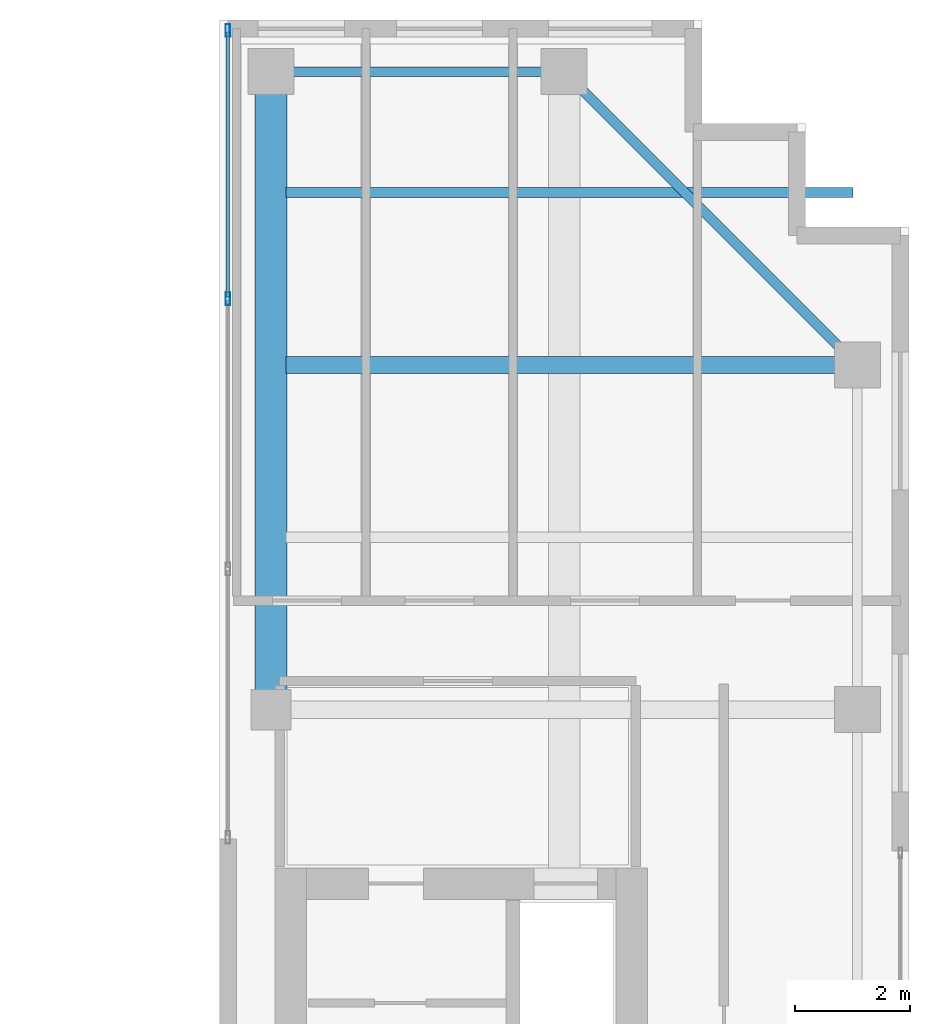
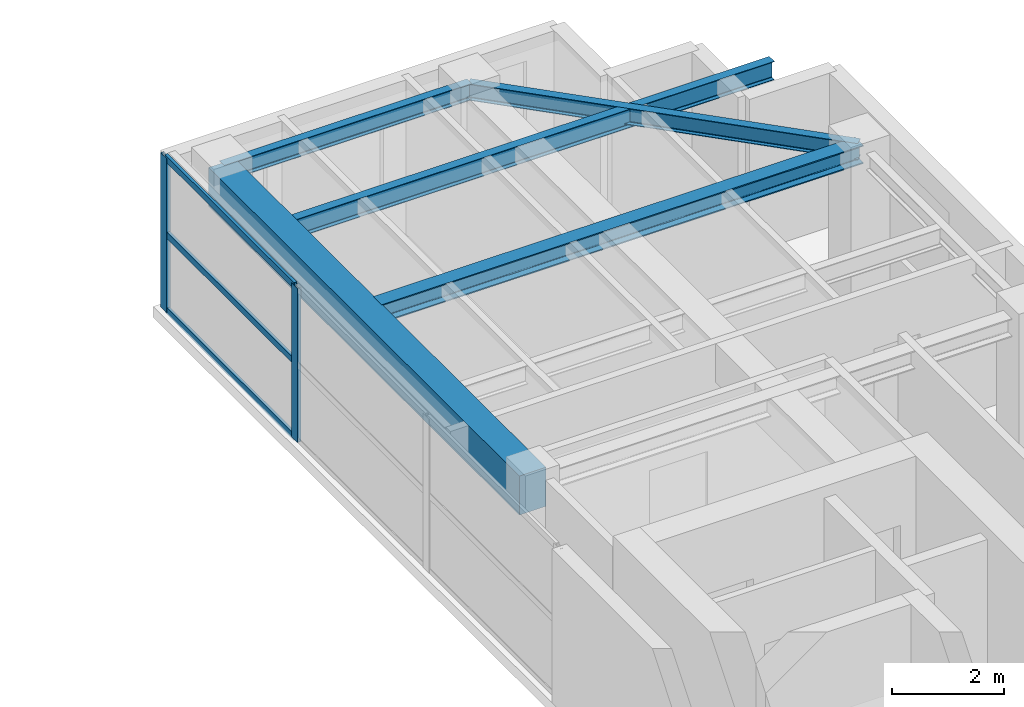
# One storey, part 16 of 23: 5 beams, 5 members, 1 element without a shape of its own.
"""IFC4 building model written with IfcOpenShell, lengths in metres."""

from ifc_helpers import new_model, si_unit, direction, frame, origin, origin_2d, place, context, subcontext, project, spatial, rectangle, hollow_rectangle, i_section, extrude, source, transform, mapped, material, layer, layer_set, material_profile, profile_set, type_object, element, aggregate, save


model = new_model("IFC4")

# Units and contexts
model_context = context("Model", 3, precision=1e-05, world=origin(), true_north=direction((0.0, 1.0)))
body_context = subcontext(model_context, "Body", "Model", "MODEL_VIEW")
ifc_project = project(units=[si_unit("LENGTHUNIT", "METRE"), si_unit("AREAUNIT", "SQUARE_METRE"), si_unit("VOLUMEUNIT", "CUBIC_METRE"), si_unit("PLANEANGLEUNIT", "RADIAN"), si_unit("MASSUNIT", "GRAM", prefix="KILO")], contexts=[model_context])

# Site, building, storey
site_placement = place(None, origin())
site = spatial("IfcSite", under=ifc_project, at=site_placement, CompositionType="ELEMENT")
building_placement = place(site_placement, origin())
building = spatial("IfcBuilding", under=site, at=building_placement, Name="Khoralis Quay Care Tower", CompositionType="ELEMENT")
storey_placement = place(building_placement, frame((0.0, 0.0, 252.89990234375)))
storey = spatial("IfcBuildingStorey", under=building, at=storey_placement, Name="L66", CompositionType="ELEMENT", Elevation=252.89990234375)

# Beams
ifc_material_1 = material(Name="Steel S355", Category="steel")
ifc_material_profile_1 = material_profile(ifc_material_1, i_section(OverallWidth=0.169921875, OverallDepth=0.360107421875, WebThickness=0.008056640625, FlangeThickness=0.0126953125, FilletRadius=0.01806640625, at=origin_2d()), Name="Steel S355")
ifc_profile_set_1 = profile_set([ifc_material_profile_1], Name="Steel S355")
beam_type_1 = type_object("IfcBeamType", Name="BM-IPE360", PredefinedType="SPANDREL", material=ifc_profile_set_1)
shared_shape_1 = source(origin(), body_context, "Body", "SweptSolid", [
    extrude(i_section(OverallWidth=0.169921875, OverallDepth=0.360107421875, WebThickness=0.008056640625, FlangeThickness=0.0126953125, FilletRadius=0.01806640625, at=origin_2d()), origin(), (0.0, 0.0, 1.0), 5.10009765625),
])
beam_1_placement = place(storey_placement, frame((30.89990234375, 41.10009765625, 3.18017578125), z_axis=(1.0, 0.0, 0.0), x_axis=(0.0, 1.0, 0.0)))
element("IfcBeam", 1, at=beam_1_placement, inside=storey, type_object=beam_type_1, Name="BM-TSP-L66-04", PredefinedType="SPANDREL", context=body_context, shape_type="MappedRepresentation", body=[
    mapped(shared_shape_1, transform((0.0, 0.0, 0.0), scale=1.0)),
])
shared_shape_2 = source(origin(), body_context, "Body", "SweptSolid", [
    extrude(i_section(OverallWidth=0.169921875, OverallDepth=0.360107421875, WebThickness=0.008056640625, FlangeThickness=0.0126953125, FilletRadius=0.01806640625, at=origin_2d()), origin(), (0.0, 0.0, 1.0), 7.212646484375),
])
beam_2_placement = place(storey_placement, frame((36.0, 41.10009765625, 3.18017578125), z_axis=(0.707106781187, -0.707106781187, 0.0), x_axis=(0.707106781187, 0.707106781187, 0.0)))
element("IfcBeam", 2, at=beam_2_placement, inside=storey, type_object=beam_type_1, Name="BM-TCR-L66-16", PredefinedType="SPANDREL", context=body_context, shape_type="MappedRepresentation", body=[
    mapped(shared_shape_2, transform((0.0, 0.0, 0.0), scale=1.0)),
])
ifc_material_profile_2 = material_profile(ifc_material_1, i_section(OverallWidth=0.300048828125, OverallDepth=0.39990234375, WebThickness=0.013427734375, FlangeThickness=0.02392578125, FilletRadius=0.027099609375, at=origin_2d()), Name="Steel S355")
ifc_profile_set_2 = profile_set([ifc_material_profile_2], Name="Steel S355")
beam_type_2 = type_object("IfcBeamType", Name="BM-HEB400", PredefinedType="BEAM", material=ifc_profile_set_2)
shared_shape_3 = source(origin(), body_context, "Body", "SweptSolid", [
    extrude(i_section(OverallWidth=0.300048828125, OverallDepth=0.39990234375, WebThickness=0.013427734375, FlangeThickness=0.02392578125, FilletRadius=0.027099609375, at=origin_2d()), origin(), (0.0, 0.0, 1.0), 9.93701171875),
])
beam_3_placement = place(storey_placement, frame((31.1630859375, 36.0, 3.16015625), z_axis=(1.0, 0.0, 0.0), x_axis=(0.0, 1.0, 0.0)))
element("IfcBeam", 3, at=beam_3_placement, inside=storey, type_object=beam_type_2, Name="BM-TGXE-L66-360", PredefinedType="BEAM", context=body_context, shape_type="MappedRepresentation", body=[
    mapped(shared_shape_3, transform((0.0, 0.0, 0.0), scale=1.0)),
])
ifc_material_2 = material(Name="Concrete C50/60", Category="concrete")
ifc_material_profile_3 = material_profile(ifc_material_2, rectangle(XDim=0.550048828125, YDim=0.85009765625, at=origin_2d()), Name="Concrete C50/60")
ifc_profile_set_3 = profile_set([ifc_material_profile_3], Name="Concrete C50/60")
beam_type_3 = type_object("IfcBeamType", Name="BM-RC550X850", PredefinedType="BEAM", material=ifc_profile_set_3)
shared_shape_4 = source(origin(), body_context, "Body", "SweptSolid", [
    extrude(rectangle(XDim=0.550048828125, YDim=0.85009765625, at=origin_2d()), origin(), (0.0, 0.0, 1.0), 11.10009765625),
])
beam_4_placement = place(storey_placement, frame((30.89990234375, 30.0, 2.93505859375), z_axis=(0.0, 1.0, 0.0), x_axis=(-1.0, 0.0, 0.0)))
element("IfcBeam", 4, at=beam_4_placement, inside=storey, type_object=beam_type_3, Name="BM-TGYN-L66-309", PredefinedType="BEAM", context=body_context, shape_type="MappedRepresentation", body=[
    mapped(shared_shape_4, transform((0.0, 0.0, 0.0), scale=1.0)),
])
ifc_material_profile_4 = material_profile(ifc_material_1, i_section(OverallWidth=0.177978515625, OverallDepth=0.406982421875, WebThickness=0.0078125, FlangeThickness=0.0126953125, FilletRadius=0.012939453125, at=origin_2d()), Name="Steel S355")
ifc_profile_set_4 = profile_set([ifc_material_profile_4], Name="Steel S355")
beam_type_4 = type_object("IfcBeamType", Name="BM-W410X60", PredefinedType="JOIST", material=ifc_profile_set_4)
shared_shape_5 = source(origin(), body_context, "Body", "SweptSolid", [
    extrude(i_section(OverallWidth=0.177978515625, OverallDepth=0.406982421875, WebThickness=0.0078125, FlangeThickness=0.0126953125, FilletRadius=0.012939453125, at=origin_2d()), origin(), (0.0, 0.0, 1.0), 9.865966796875),
])
beam_5_placement = place(storey_placement, frame((31.1630859375, 39.0, 3.156494140625), z_axis=(1.0, 0.0, 0.0), x_axis=(0.0, 1.0, 0.0)))
element("IfcBeam", 5, at=beam_5_placement, inside=storey, type_object=beam_type_4, Name="BM-TJS-L66-22", PredefinedType="JOIST", context=body_context, shape_type="MappedRepresentation", body=[
    mapped(shared_shape_5, transform((0.0, 0.0, 0.0), scale=1.0)),
])

# Curtain wall, members
ifc_material_3 = material(Name="Pale anodised aluminium", Category="aluminium")
ifc_layer = layer(ifc_material_3, 0.18994140625)
ifc_layer_set = layer_set([ifc_layer], Name="Pale anodised aluminium")
curtain_wall_type = type_object("IfcCurtainWallType", Name="CW-SYS-PORTAL", PredefinedType="NOTDEFINED", material=ifc_layer_set)
curtain_wall_placement = place(storey_placement, origin())
curtain_wall = element("IfcCurtainWall", 6, at=curtain_wall_placement, inside=storey, type_object=curtain_wall_type, Name="L66 Unitised Curtain Wall CW-VP-L66-P2-N", PredefinedType="NOTDEFINED")
ifc_material_profile_5 = material_profile(ifc_material_3, hollow_rectangle(XDim=0.06005859375, YDim=0.139892578125, WallThickness=0.00390625, at=origin_2d()), Name="Pale anodised aluminium")
ifc_profile_set_5 = profile_set([ifc_material_profile_5], Name="Pale anodised aluminium")
member_type_1 = type_object("IfcMemberType", Name="CW-TRN-140", PredefinedType="USERDEFINED", material=ifc_profile_set_5)
shared_shape_6 = source(origin(), body_context, "Body", "SweptSolid", [
    extrude(hollow_rectangle(XDim=0.06005859375, YDim=0.139892578125, WallThickness=0.00390625, at=origin_2d()), origin(), (0.0, 0.0, 1.0), 4.610107421875),
])
member_1_placement = place(storey_placement, frame((30.14990234375, 37.179931640625, 0.030029296875), z_axis=(0.0, 1.0, 0.0), x_axis=(-1.0, 0.0, 0.0)))
member_1 = element("IfcMember", 7, at=member_1_placement, type_object=member_type_1, Name="CW4 transom 3.1", ObjectType="TRANSOM", PredefinedType="USERDEFINED", context=body_context, shape_type="MappedRepresentation", body=[
    mapped(shared_shape_6, transform((0.0, 0.0, 0.0), scale=1.0)),
])
member_2_placement = place(storey_placement, frame((30.14990234375, 37.179931640625, 1.68017578125), z_axis=(0.0, 1.0, 0.0), x_axis=(-1.0, 0.0, 0.0)))
member_2 = element("IfcMember", 8, at=member_2_placement, type_object=member_type_1, Name="CW4 transom 3.2", ObjectType="TRANSOM", PredefinedType="USERDEFINED", context=body_context, shape_type="MappedRepresentation", body=[
    mapped(shared_shape_6, transform((0.0, 0.0, 0.0), scale=1.0)),
])
member_3_placement = place(storey_placement, frame((30.14990234375, 37.179931640625, 3.330078125), z_axis=(0.0, 1.0, 0.0), x_axis=(-1.0, 0.0, 0.0)))
member_3 = element("IfcMember", 9, at=member_3_placement, type_object=member_type_1, Name="CW4 transom 3.3", ObjectType="TRANSOM", PredefinedType="USERDEFINED", context=body_context, shape_type="MappedRepresentation", body=[
    mapped(shared_shape_6, transform((0.0, 0.0, 0.0), scale=1.0)),
])
ifc_material_profile_6 = material_profile(ifc_material_3, hollow_rectangle(XDim=0.074951171875, YDim=0.219970703125, WallThickness=0.00390625, at=origin_2d()), Name="Pale anodised aluminium")
ifc_profile_set_6 = profile_set([ifc_material_profile_6], Name="Pale anodised aluminium")
member_type_2 = type_object("IfcMemberType", Name="CW-MUL-220", PredefinedType="MULLION", material=ifc_profile_set_6)
shared_shape_7 = source(origin(), body_context, "Body", "SweptSolid", [
    extrude(hollow_rectangle(XDim=0.074951171875, YDim=0.219970703125, WallThickness=0.00390625, at=origin_2d()), origin(), (0.0, 0.0, 1.0), 3.360107421875),
])
member_4_placement = place(storey_placement, frame((30.14990234375, 37.14990234375, 0.0), z_axis=(0.0, 0.0, 1.0), x_axis=(-1.0, 0.0, 0.0)))
member_4 = element("IfcMember", 10, at=member_4_placement, type_object=member_type_2, Name="CW4 mullion 3", PredefinedType="MULLION", context=body_context, shape_type="MappedRepresentation", body=[
    mapped(shared_shape_7, transform((0.0, 0.0, 0.0), scale=1.0)),
])
member_5_placement = place(storey_placement, frame((30.14990234375, 41.820068359375, 0.0), z_axis=(0.0, 0.0, 1.0), x_axis=(-1.0, 0.0, 0.0)))
member_5 = element("IfcMember", 11, at=member_5_placement, type_object=member_type_2, Name="CW4 mullion 4", PredefinedType="MULLION", context=body_context, shape_type="MappedRepresentation", body=[
    mapped(shared_shape_7, transform((0.0, 0.0, 0.0), scale=1.0)),
])
aggregate(curtain_wall, [member_4, member_5, member_1, member_2, member_3])

save(model, "model.ifc")
